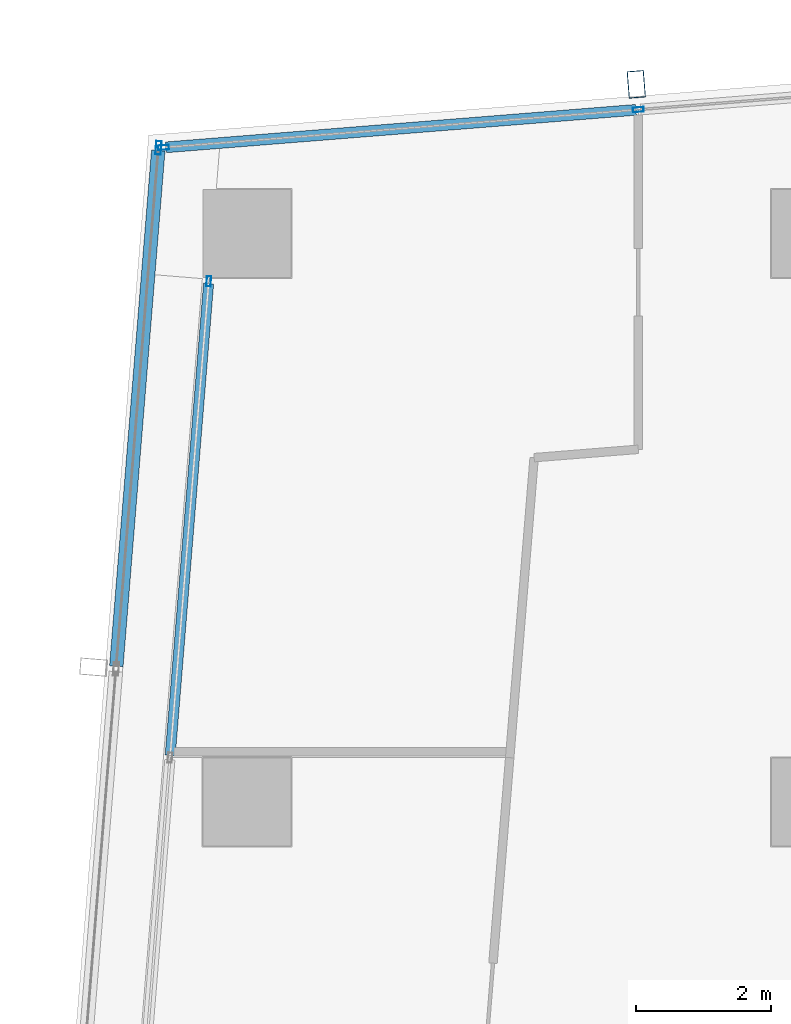
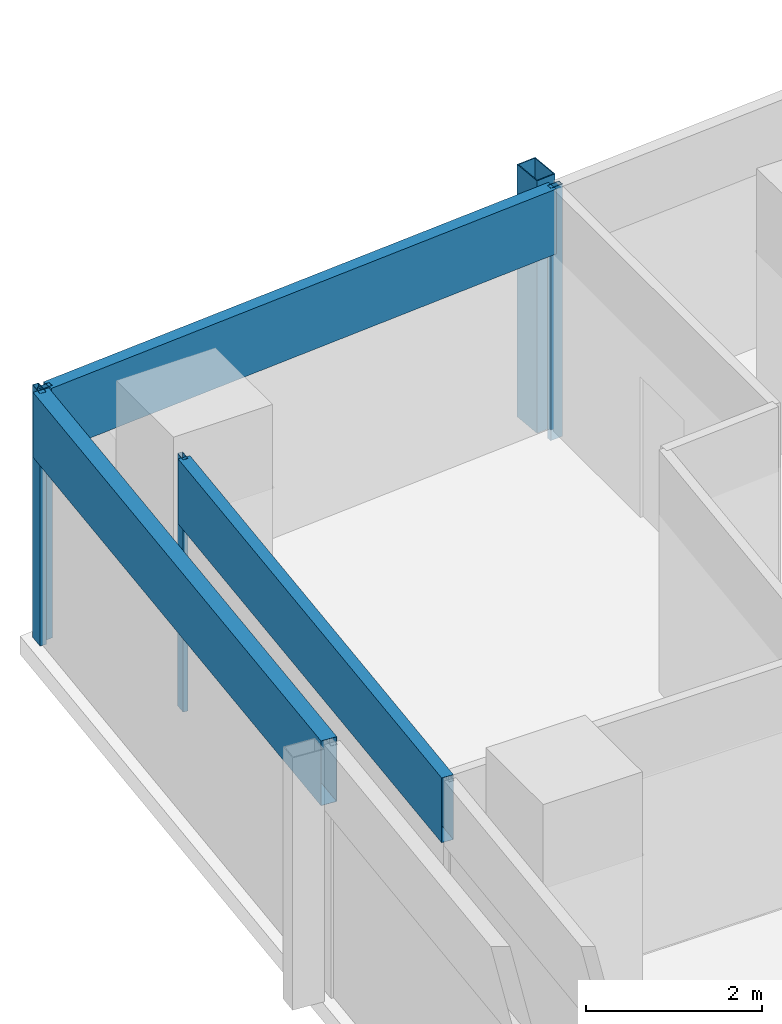
# One storey, part 15 of 30: 8 members, 3 elements without a shape of their own.
"""IFC4 building model written with IfcOpenShell, lengths in metres."""

from ifc_helpers import new_model, si_unit, direction, frame, origin, origin_2d, place, context, subcontext, project, spatial, hollow_rectangle, extrude, material, material_profile, profile_set, type_object, element, aggregate, save


model = new_model("IFC4")

# Units and contexts
model_context = context("Model", 3, precision=1e-05, world=origin(), true_north=direction((0.0, 1.0)))
body_context = subcontext(model_context, "Body", "Model", "MODEL_VIEW")
ifc_project = project(units=[si_unit("LENGTHUNIT", "METRE"), si_unit("AREAUNIT", "SQUARE_METRE"), si_unit("VOLUMEUNIT", "CUBIC_METRE"), si_unit("PLANEANGLEUNIT", "RADIAN"), si_unit("MASSUNIT", "GRAM", prefix="KILO")], contexts=[model_context])

# Site, building, storey
site_placement = place(None, origin())
site = spatial("IfcSite", under=ifc_project, at=site_placement, CompositionType="ELEMENT")
building_placement = place(site_placement, origin())
building = spatial("IfcBuilding", under=site, at=building_placement, Name="Rekha Terrace Tower", CompositionType="ELEMENT")
storey_placement = place(building_placement, frame((0.0, 0.0, 265.10009765625)))
storey = spatial("IfcBuildingStorey", under=building, at=storey_placement, Name="L67", CompositionType="ELEMENT", Elevation=265.10009765625)

# Curtain wall, member
ifc_material_1 = material(Name="Aluminium framing", Category="aluminium")
curtain_wall_type_1 = type_object("IfcCurtainWallType", Name="CW3 north unitised glazing", PredefinedType="USERDEFINED", material=ifc_material_1)
curtain_wall_1_placement = place(storey_placement, origin())
curtain_wall_1 = element("IfcCurtainWall", 1, at=curtain_wall_1_placement, inside=storey, type_object=curtain_wall_type_1, Name="CW3 unitised curtain wall", ObjectType="UNITISED CURTAIN WALL", PredefinedType="USERDEFINED")
ifc_material_2 = material(Name="Steel S355 with fluorocarbon finish", Category="steel")
ifc_material_profile_1 = material_profile(ifc_material_2, hollow_rectangle(XDim=0.25, YDim=0.39990234375, WallThickness=0.012451171875, at=origin_2d()), Name="RHS400x250x12.5")
ifc_profile_set_1 = profile_set([ifc_material_profile_1], Name="Steel S355 with fluorocarbon finish")
member_type_1 = type_object("IfcMemberType", Name="BL1 facade blade RHS 400 x 250", PredefinedType="USERDEFINED", material=ifc_profile_set_1)
member_1_placement = place(storey_placement, frame((14.1513671875, 52.599853515625, 0.0), z_axis=(0.0, 0.0, 1.0), x_axis=(-0.996836012392, -0.079485623849, 0.0)))
member_1 = element("IfcMember", 2, at=member_1_placement, type_object=member_type_1, Name="Facade blade", ObjectType="FACADE BLADE", PredefinedType="USERDEFINED", context=body_context, shape_type="SweptSolid", body=[
    extrude(hollow_rectangle(XDim=0.25, YDim=0.39990234375, WallThickness=0.012451171875, at=origin_2d()), origin(), (0.0, 0.0, 1.0), 3.5),
])

# Curtain wall, members
curtain_wall_type_2 = type_object("IfcCurtainWallType", Name="CW1 double skin inner glazing", PredefinedType="USERDEFINED", material=ifc_material_1)
curtain_wall_2_placement = place(storey_placement, origin())
curtain_wall_2 = element("IfcCurtainWall", 3, at=curtain_wall_2_placement, inside=storey, type_object=curtain_wall_type_2, Name="CW1 double skin inner glazing", ObjectType="DOUBLE SKIN INNER GLAZING", PredefinedType="USERDEFINED")
ifc_material_3 = material(Name="Aluminium mullion section", Category="aluminium")
ifc_material_profile_2 = material_profile(ifc_material_3, hollow_rectangle(XDim=0.06494140625, YDim=0.14990234375, WallThickness=0.00390625, at=origin_2d()), Name="AL RHS 65x150")
ifc_profile_set_2 = profile_set([ifc_material_profile_2], Name="Aluminium mullion section")
member_type_2 = type_object("IfcMemberType", Name="CW1 mullion RHS 65 x 150", PredefinedType="MULLION", material=ifc_profile_set_2)
member_2_placement = place(storey_placement, frame((7.837890625, 49.690185546875, 0.0), z_axis=(0.0, 0.0, 1.0), x_axis=(0.996708580524, -0.081067906781, 0.0)))
member_2 = element("IfcMember", 4, at=member_2_placement, type_object=member_type_2, Name="CW1 mullion 1", PredefinedType="MULLION", context=body_context, shape_type="SweptSolid", body=[
    extrude(hollow_rectangle(XDim=0.06494140625, YDim=0.14990234375, WallThickness=0.00390625, at=origin_2d()), origin(), (0.0, 0.0, 1.0), 3.5),
])
ifc_material_4 = material(Name="Insulated aluminium spandrel box", Category="aluminium")
ifc_material_profile_3 = material_profile(ifc_material_4, hollow_rectangle(XDim=0.14990234375, YDim=0.89990234375, WallThickness=0.0029296875, at=origin_2d()), Name="AL SPANDREL BOX 150x900")
ifc_profile_set_3 = profile_set([ifc_material_profile_3], Name="Insulated aluminium spandrel box")
member_type_3 = type_object("IfcMemberType", Name="CW1 spandrel transom 150 x 900", PredefinedType="USERDEFINED", material=ifc_profile_set_3)
member_3_placement = place(storey_placement, frame((7.835205078125, 49.65771484375, 3.0498046875), z_axis=(-0.081074618383, -0.996708034609, 0.0), x_axis=(0.996708034609, -0.081074618383, 0.0)))
member_3 = element("IfcMember", 5, at=member_3_placement, type_object=member_type_3, Name="CW1 spandrel transom 1", ObjectType="TRANSOM", PredefinedType="USERDEFINED", context=body_context, shape_type="SweptSolid", body=[
    extrude(hollow_rectangle(XDim=0.14990234375, YDim=0.89990234375, WallThickness=0.0029296875, at=origin_2d()), origin(), (0.0, 0.0, 1.0), 6.9921875),
])
aggregate(curtain_wall_2, [member_2, member_3])

curtain_wall_type_3 = type_object("IfcCurtainWallType", Name="CW2 double skin outer glazing", PredefinedType="USERDEFINED", material=ifc_material_1)
curtain_wall_3_placement = place(storey_placement, origin())
curtain_wall_3 = element("IfcCurtainWall", 6, at=curtain_wall_3_placement, inside=storey, type_object=curtain_wall_type_3, Name="CW2 double skin outer glazing", ObjectType="DOUBLE SKIN OUTER GLAZING", PredefinedType="USERDEFINED")
ifc_material_profile_4 = material_profile(ifc_material_3, hollow_rectangle(XDim=0.080078125, YDim=0.199951171875, WallThickness=0.00390625, at=origin_2d()), Name="AL RHS 80x200")
ifc_profile_set_4 = profile_set([ifc_material_profile_4], Name="Aluminium mullion section")
member_type_4 = type_object("IfcMemberType", Name="CW2 mullion RHS 80 x 200", PredefinedType="MULLION", material=ifc_profile_set_4)
member_4_placement = place(storey_placement, frame((7.09521484375, 51.661376953125, 0.0), z_axis=(0.0, 0.0, 1.0), x_axis=(0.996708580521, -0.081067906816, 0.0)))
member_4 = element("IfcMember", 7, at=member_4_placement, type_object=member_type_4, Name="CW2 mullion 1", PredefinedType="MULLION", context=body_context, shape_type="SweptSolid", body=[
    extrude(hollow_rectangle(XDim=0.080078125, YDim=0.199951171875, WallThickness=0.00390625, at=origin_2d()), origin(), (0.0, 0.0, 1.0), 3.5),
])
ifc_material_profile_5 = material_profile(ifc_material_4, hollow_rectangle(XDim=0.199951171875, YDim=0.89990234375, WallThickness=0.0029296875, at=origin_2d()), Name="AL SPANDREL BOX 200x900")
ifc_profile_set_5 = profile_set([ifc_material_profile_5], Name="Insulated aluminium spandrel box")
member_type_5 = type_object("IfcMemberType", Name="CW2 spandrel transom 200 x 900", PredefinedType="USERDEFINED", material=ifc_profile_set_5)
member_5_placement = place(storey_placement, frame((7.092041015625, 51.62158203125, 3.0498046875), z_axis=(-0.081093832935, -0.996706471465, 0.0), x_axis=(0.996706471465, -0.081093832935, 0.0)))
member_5 = element("IfcMember", 8, at=member_5_placement, type_object=member_type_5, Name="CW2 spandrel transom 1", ObjectType="TRANSOM", PredefinedType="USERDEFINED", context=body_context, shape_type="SweptSolid", body=[
    extrude(hollow_rectangle(XDim=0.199951171875, YDim=0.89990234375, WallThickness=0.0029296875, at=origin_2d()), origin(), (0.0, 0.0, 1.0), 7.640869140625),
])
aggregate(curtain_wall_3, [member_4, member_5])

# Member
ifc_material_profile_6 = material_profile(ifc_material_3, hollow_rectangle(XDim=0.070068359375, YDim=0.159912109375, WallThickness=0.00390625, at=origin_2d()), Name="AL RHS 70x160")
ifc_profile_set_6 = profile_set([ifc_material_profile_6], Name="Aluminium mullion section")
member_type_6 = type_object("IfcMemberType", Name="CW3 mullion RHS 70 x 160", PredefinedType="MULLION", material=ifc_profile_set_6)
member_6_placement = place(storey_placement, frame((14.18115234375, 52.22607421875, 0.0), z_axis=(0.0, 0.0, 1.0), x_axis=(0.07948505154, -0.996836058026, 0.0)))
member_6 = element("IfcMember", 9, at=member_6_placement, type_object=member_type_6, Name="CW3 mullion 3", PredefinedType="MULLION", context=body_context, shape_type="SweptSolid", body=[
    extrude(hollow_rectangle(XDim=0.070068359375, YDim=0.159912109375, WallThickness=0.00390625, at=origin_2d()), origin(), (0.0, 0.0, 1.0), 3.5),
])

member_7_placement = place(storey_placement, frame((7.17041015625, 51.6669921875, 0.0), z_axis=(0.0, 0.0, 1.0), x_axis=(0.07948505154, -0.996836058026, 0.0)))
member_7 = element("IfcMember", 10, at=member_7_placement, type_object=member_type_6, Name="CW3 mullion 4", PredefinedType="MULLION", context=body_context, shape_type="SweptSolid", body=[
    extrude(hollow_rectangle(XDim=0.070068359375, YDim=0.159912109375, WallThickness=0.00390625, at=origin_2d()), origin(), (0.0, 0.0, 1.0), 3.5),
])

ifc_material_profile_7 = material_profile(ifc_material_4, hollow_rectangle(XDim=0.159912109375, YDim=0.89990234375, WallThickness=0.0029296875, at=origin_2d()), Name="AL SPANDREL BOX 160x900")
ifc_profile_set_7 = profile_set([ifc_material_profile_7], Name="Insulated aluminium spandrel box")
member_type_7 = type_object("IfcMemberType", Name="CW3 spandrel transom 160 x 900", PredefinedType="USERDEFINED", material=ifc_profile_set_7)
member_8_placement = place(storey_placement, frame((14.146240234375, 52.22314453125, 3.0498046875), z_axis=(-0.996835870382, -0.079487404789, 0.0), x_axis=(0.079487404789, -0.996835870382, 0.0)))
member_8 = element("IfcMember", 11, at=member_8_placement, type_object=member_type_7, Name="CW3 spandrel transom 3", ObjectType="TRANSOM", PredefinedType="USERDEFINED", context=body_context, shape_type="SweptSolid", body=[
    extrude(hollow_rectangle(XDim=0.159912109375, YDim=0.89990234375, WallThickness=0.0029296875, at=origin_2d()), origin(), (0.0, 0.0, 1.0), 6.962890625),
])

aggregate(curtain_wall_1, [member_6, member_7, member_8, member_1])

save(model, "model.ifc")
